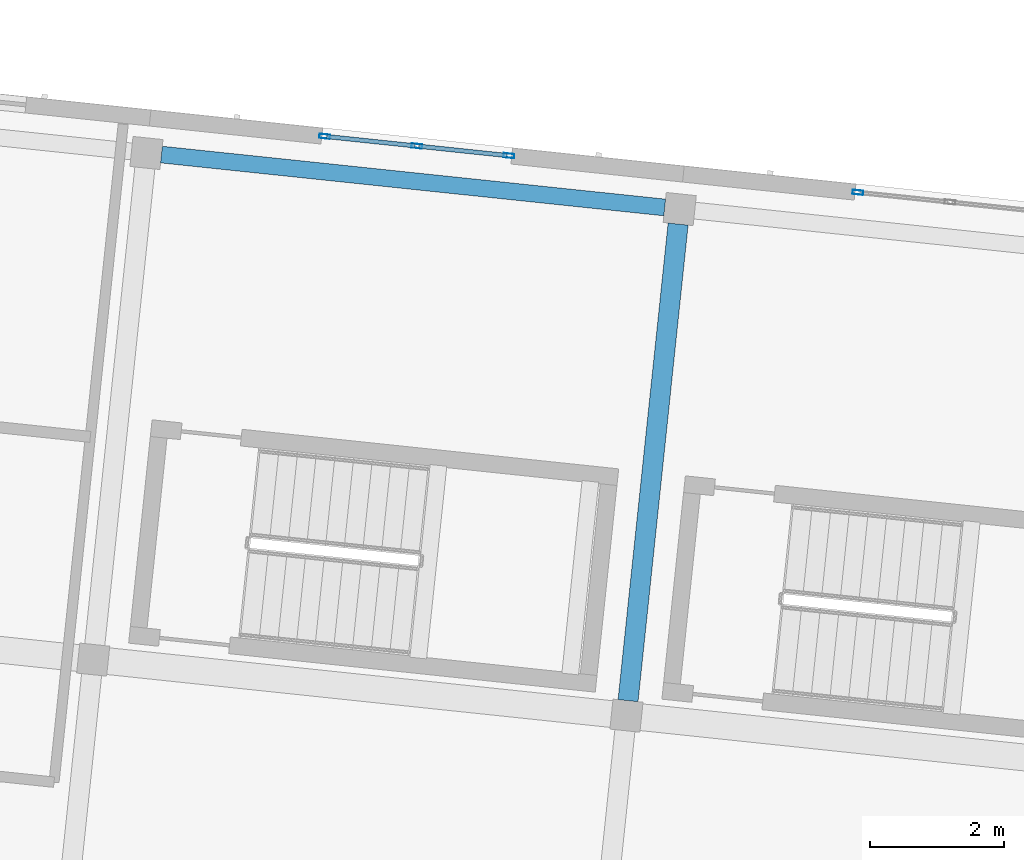
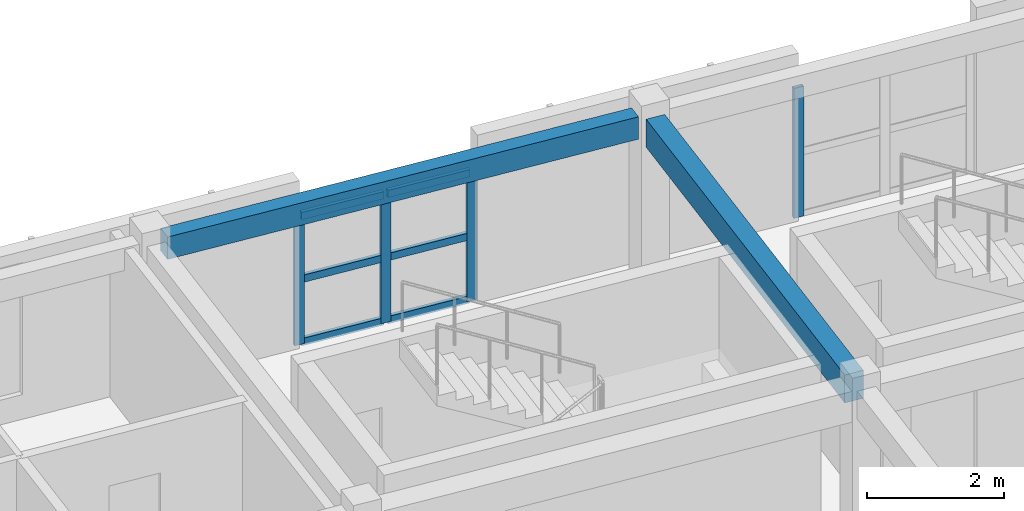
# One storey, part 14 of 64: 10 members, 2 beams, 2 elements without a shape of their own.
"""IFC4 building model written with IfcOpenShell, lengths in metres."""

from ifc_helpers import new_model, si_unit, direction, frame, origin, origin_2d, place, context, subcontext, project, spatial, rectangle, hollow_rectangle, extrude, material, material_profile, profile_set, type_object, element, aggregate, save


model = new_model("IFC4")

# Units and contexts
model_context = context("Model", 3, precision=1e-05, world=origin(), true_north=direction((0.0, 1.0)))
body_context = subcontext(model_context, "Body", "Model", "MODEL_VIEW")
ifc_project = project(units=[si_unit("LENGTHUNIT", "METRE"), si_unit("AREAUNIT", "SQUARE_METRE"), si_unit("VOLUMEUNIT", "CUBIC_METRE"), si_unit("PLANEANGLEUNIT", "RADIAN"), si_unit("MASSUNIT", "GRAM", prefix="KILO")], contexts=[model_context])

# Site, building, storey
site_placement = place(None, origin())
site = spatial("IfcSite", under=ifc_project, at=site_placement, CompositionType="ELEMENT")
building_placement = place(site_placement, origin())
building = spatial("IfcBuilding", under=site, at=building_placement, Name="Kestramere Prow Commons", CompositionType="ELEMENT")
storey_placement = place(building_placement, frame((0.0, 0.0, 24.64990234375)))
storey = spatial("IfcBuildingStorey", under=building, at=storey_placement, Name="L07", CompositionType="ELEMENT", Elevation=24.64990234375)

# Beam
ifc_material_1 = material(Name="Precast concrete C40/50", Category="concrete")
ifc_material_profile_1 = material_profile(ifc_material_1, rectangle(XDim=0.300048828125, YDim=0.5, at=origin_2d()), Name="PC-BM 300x500")
ifc_profile_set_1 = profile_set([ifc_material_profile_1], Name="Precast concrete C40/50")
beam_type_1 = type_object("IfcBeamType", Name="BM-TIE-01 PC-BM 300x500", PredefinedType="BEAM", material=ifc_profile_set_1)
beam_1_placement = place(storey_placement, frame((143.1025390625, 103.613037109375, 2.75), z_axis=(0.104519481265, 0.994522839374, 0.0), x_axis=(-0.994522839374, 0.104519481265, 0.0)))
element("IfcBeam", 1, at=beam_1_placement, inside=storey, type_object=beam_type_1, Name="Block B L07 Transverse Beam 5-3", PredefinedType="BEAM", context=body_context, shape_type="SweptSolid", body=[
    extrude(rectangle(XDim=0.300048828125, YDim=0.5, at=origin_2d()), origin(), (0.0, 0.0, 1.0), 7.14990234375),
])

# Curtain wall, members
ifc_material_2 = material(Name="Anodised Aluminium and Low-E Glass", Category="aluminium")
curtain_wall_type = type_object("IfcCurtainWallType", Name="CW-03 Glazed Curtain Wall 2830x2320", PredefinedType="USERDEFINED", material=ifc_material_2)
curtain_wall_1_placement = place(storey_placement, origin())
curtain_wall_1 = element("IfcCurtainWall", 2, at=curtain_wall_1_placement, inside=storey, type_object=curtain_wall_type, Name="Block B L07 Stairwell Vertical Glazing 4", ObjectType="GLAZED CURTAIN WALL", PredefinedType="USERDEFINED")
ifc_material_3 = material(Name="Anodised Aluminium 6063-T6", Category="aluminium")
ifc_material_profile_2 = material_profile(ifc_material_3, hollow_rectangle(XDim=0.06494140625, YDim=0.159912109375, WallThickness=0.00390625, at=origin_2d()), Name="ALU-MUL 65x160")
ifc_profile_set_2 = profile_set([ifc_material_profile_2], Name="Anodised Aluminium 6063-T6")
member_type_1 = type_object("IfcMemberType", Name="CW-MUL-65x160", PredefinedType="MULLION", material=ifc_profile_set_2)
member_1_placement = place(storey_placement, frame((138.575439453125, 112.032470703125, 0.0), z_axis=(0.0, 0.0, 1.0), x_axis=(0.104528618845, 0.994521879016, 0.0)))
member_1 = element("IfcMember", 3, at=member_1_placement, type_object=member_type_1, Name="CW-03 mullion 1", PredefinedType="MULLION", context=body_context, shape_type="SweptSolid", body=[
    extrude(hollow_rectangle(XDim=0.06494140625, YDim=0.159912109375, WallThickness=0.00390625, at=origin_2d()), origin(), (0.0, 0.0, 1.0), 2.320068359375),
])
member_2_placement = place(storey_placement, frame((139.9501953125, 111.887939453125, 0.0), z_axis=(0.0, 0.0, 1.0), x_axis=(0.104528618845, 0.994521879016, 0.0)))
member_2 = element("IfcMember", 4, at=member_2_placement, type_object=member_type_1, Name="CW-03 mullion 2", PredefinedType="MULLION", context=body_context, shape_type="SweptSolid", body=[
    extrude(hollow_rectangle(XDim=0.06494140625, YDim=0.159912109375, WallThickness=0.00390625, at=origin_2d()), origin(), (0.0, 0.0, 1.0), 2.320068359375),
])
member_3_placement = place(storey_placement, frame((141.3251953125, 111.743408203125, 0.0), z_axis=(0.0, 0.0, 1.0), x_axis=(0.104528618845, 0.994521879016, 0.0)))
member_3 = element("IfcMember", 5, at=member_3_placement, type_object=member_type_1, Name="CW-03 mullion 3", PredefinedType="MULLION", context=body_context, shape_type="SweptSolid", body=[
    extrude(hollow_rectangle(XDim=0.06494140625, YDim=0.159912109375, WallThickness=0.00390625, at=origin_2d()), origin(), (0.0, 0.0, 1.0), 2.320068359375),
])

# Curtain wall, member
curtain_wall_2_placement = place(storey_placement, origin())
curtain_wall_2 = element("IfcCurtainWall", 6, at=curtain_wall_2_placement, inside=storey, type_object=curtain_wall_type, Name="Block B L07 Stairwell Vertical Glazing 5", ObjectType="GLAZED CURTAIN WALL", PredefinedType="USERDEFINED")
member_4_placement = place(storey_placement, frame((146.531494140625, 111.1962890625, 0.0), z_axis=(0.0, 0.0, 1.0), x_axis=(0.104528269348, 0.99452191575, 0.0)))
member_4 = element("IfcMember", 7, at=member_4_placement, type_object=member_type_1, Name="CW-03 mullion 1", PredefinedType="MULLION", context=body_context, shape_type="SweptSolid", body=[
    extrude(hollow_rectangle(XDim=0.06494140625, YDim=0.159912109375, WallThickness=0.00390625, at=origin_2d()), origin(), (0.0, 0.0, 1.0), 2.320068359375),
])
aggregate(curtain_wall_2, [member_4])

# Member
ifc_material_profile_3 = material_profile(ifc_material_3, hollow_rectangle(XDim=0.06494140625, YDim=0.1298828125, WallThickness=0.00390625, at=origin_2d()), Name="ALU-TRN 65x130")
ifc_profile_set_3 = profile_set([ifc_material_profile_3], Name="Anodised Aluminium 6063-T6")
member_type_2 = type_object("IfcMemberType", Name="CW-TRN-65x130", PredefinedType="USERDEFINED", material=ifc_profile_set_3)
member_5_placement = place(storey_placement, frame((138.607666015625, 112.029052734375, 0.03271484375), z_axis=(0.994523714271, -0.104511156111, 0.0), x_axis=(0.104511156111, 0.994523714271, 0.0)))
member_5 = element("IfcMember", 8, at=member_5_placement, type_object=member_type_2, Name="CW-03 transom 1.1", ObjectType="TRANSOM", PredefinedType="USERDEFINED", context=body_context, shape_type="SweptSolid", body=[
    extrude(hollow_rectangle(XDim=0.06494140625, YDim=0.1298828125, WallThickness=0.00390625, at=origin_2d()), origin(), (0.0, 0.0, 1.0), 1.317626953125),
])

member_6_placement = place(storey_placement, frame((138.607666015625, 112.029052734375, 1.16015625), z_axis=(0.994523714271, -0.104511156111, 0.0), x_axis=(0.104511156111, 0.994523714271, 0.0)))
member_6 = element("IfcMember", 9, at=member_6_placement, type_object=member_type_2, Name="CW-03 transom 1.2", ObjectType="TRANSOM", PredefinedType="USERDEFINED", context=body_context, shape_type="SweptSolid", body=[
    extrude(hollow_rectangle(XDim=0.06494140625, YDim=0.1298828125, WallThickness=0.00390625, at=origin_2d()), origin(), (0.0, 0.0, 1.0), 1.317626953125),
])

member_7_placement = place(storey_placement, frame((138.607666015625, 112.029052734375, 2.28759765625), z_axis=(0.994523714271, -0.104511156111, 0.0), x_axis=(0.104511156111, 0.994523714271, 0.0)))
member_7 = element("IfcMember", 10, at=member_7_placement, type_object=member_type_2, Name="CW-03 transom 1.3", ObjectType="TRANSOM", PredefinedType="USERDEFINED", context=body_context, shape_type="SweptSolid", body=[
    extrude(hollow_rectangle(XDim=0.06494140625, YDim=0.1298828125, WallThickness=0.00390625, at=origin_2d()), origin(), (0.0, 0.0, 1.0), 1.317626953125),
])

member_8_placement = place(storey_placement, frame((139.982666015625, 111.884521484375, 0.03271484375), z_axis=(0.994523714271, -0.104511156111, 0.0), x_axis=(0.104511156111, 0.994523714271, 0.0)))
member_8 = element("IfcMember", 11, at=member_8_placement, type_object=member_type_2, Name="CW-03 transom 2.1", ObjectType="TRANSOM", PredefinedType="USERDEFINED", context=body_context, shape_type="SweptSolid", body=[
    extrude(hollow_rectangle(XDim=0.06494140625, YDim=0.1298828125, WallThickness=0.00390625, at=origin_2d()), origin(), (0.0, 0.0, 1.0), 1.317626953125),
])

member_9_placement = place(storey_placement, frame((139.982666015625, 111.884521484375, 1.16015625), z_axis=(0.994523714271, -0.104511156111, 0.0), x_axis=(0.104511156111, 0.994523714271, 0.0)))
member_9 = element("IfcMember", 12, at=member_9_placement, type_object=member_type_2, Name="CW-03 transom 2.2", ObjectType="TRANSOM", PredefinedType="USERDEFINED", context=body_context, shape_type="SweptSolid", body=[
    extrude(hollow_rectangle(XDim=0.06494140625, YDim=0.1298828125, WallThickness=0.00390625, at=origin_2d()), origin(), (0.0, 0.0, 1.0), 1.317626953125),
])

member_10_placement = place(storey_placement, frame((139.982666015625, 111.884521484375, 2.28759765625), z_axis=(0.994523714271, -0.104511156111, 0.0), x_axis=(0.104511156111, 0.994523714271, 0.0)))
member_10 = element("IfcMember", 13, at=member_10_placement, type_object=member_type_2, Name="CW-03 transom 2.3", ObjectType="TRANSOM", PredefinedType="USERDEFINED", context=body_context, shape_type="SweptSolid", body=[
    extrude(hollow_rectangle(XDim=0.06494140625, YDim=0.1298828125, WallThickness=0.00390625, at=origin_2d()), origin(), (0.0, 0.0, 1.0), 1.317626953125),
])

aggregate(curtain_wall_1, [member_1, member_2, member_3, member_5, member_6, member_7, member_8, member_9, member_10])

# Beam
ifc_material_profile_4 = material_profile(ifc_material_1, rectangle(XDim=0.25, YDim=0.39990234375, at=origin_2d()), Name="PC-SP 250x400")
ifc_profile_set_4 = profile_set([ifc_material_profile_4], Name="Precast concrete C40/50")
beam_type_2 = type_object("IfcBeamType", Name="SP-EXT-01 PC-SP 250x400", PredefinedType="SPANDREL", material=ifc_profile_set_4)
beam_2_placement = place(storey_placement, frame((136.14111328125, 111.760498046875, 2.800048828125), z_axis=(0.994520149735, -0.104545070528, 0.0), x_axis=(0.104545070528, 0.994520149735, 0.0)))
element("IfcBeam", 14, at=beam_2_placement, inside=storey, type_object=beam_type_2, Name="Block B L07 Longitudinal Beam 4-4", PredefinedType="SPANDREL", context=body_context, shape_type="SweptSolid", body=[
    extrude(rectangle(XDim=0.25, YDim=0.39990234375, at=origin_2d()), origin(), (0.0, 0.0, 1.0), 7.5498046875),
])

save(model, "model.ifc")
